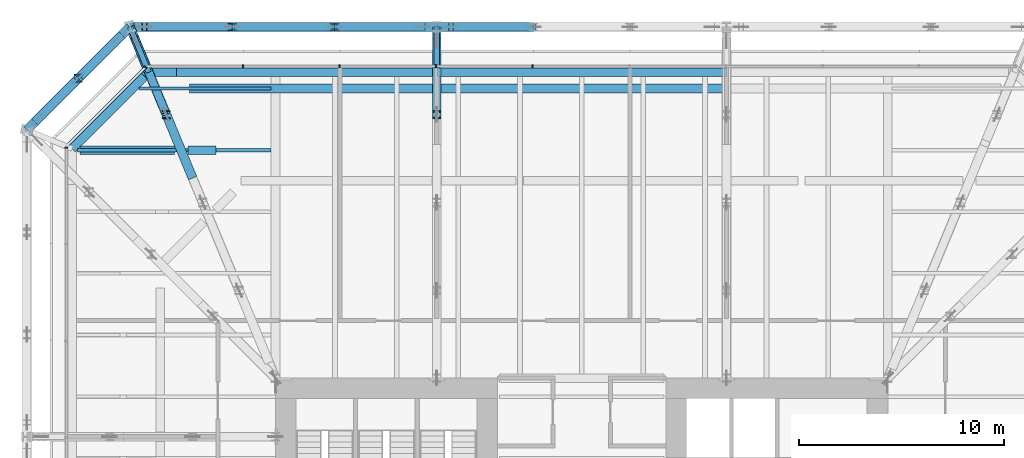
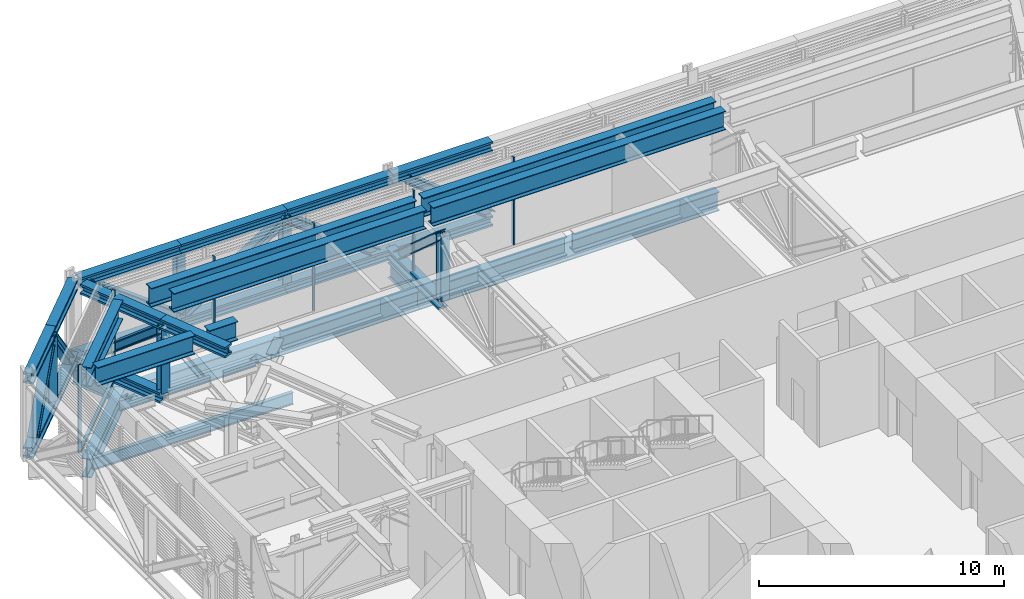
# One storey, part 16 of 33: 30 beams, 20 members, 3 elements without a shape of their own.
"""IFC4 building model written with IfcOpenShell, lengths in metres."""

from ifc_helpers import new_model, si_unit, direction, frame, origin, origin_2d, place, context, subcontext, project, spatial, rectangle, i_section, extrude, material, layer, layer_set, material_profile, profile_set, type_object, element, aggregate, save


model = new_model("IFC4")

# Units and contexts
model_context = context("Model", 3, precision=1e-05, world=origin(), true_north=direction((0.0, 1.0)))
body_context = subcontext(model_context, "Body", "Model", "MODEL_VIEW")
ifc_project = project(units=[si_unit("LENGTHUNIT", "METRE"), si_unit("AREAUNIT", "SQUARE_METRE"), si_unit("VOLUMEUNIT", "CUBIC_METRE"), si_unit("PLANEANGLEUNIT", "RADIAN"), si_unit("MASSUNIT", "GRAM", prefix="KILO")], contexts=[model_context])

# Site, building, storey
site_placement = place(None, origin())
site = spatial("IfcSite", under=ifc_project, at=site_placement, CompositionType="ELEMENT")
building_placement = place(site_placement, origin())
building = spatial("IfcBuilding", under=site, at=building_placement, Name="Millrace Tower", CompositionType="ELEMENT")
storey_placement = place(building_placement, frame((0.0, 0.0, 64.10009765625)))
storey = spatial("IfcBuildingStorey", under=building, at=storey_placement, Name="L14", CompositionType="ELEMENT", Elevation=64.10009765625)

# Beams
ifc_material_1 = material(Name="Steel ASTM A992 Grade 50", Category="steel")
ifc_material_profile_1 = material_profile(ifc_material_1, i_section(OverallWidth=0.436767578125, OverallDepth=0.51318359375, WebThickness=0.060546875, FlangeThickness=0.096923828125, FilletRadius=0.01513671875, at=origin_2d()))
ifc_profile_set_1 = profile_set([ifc_material_profile_1], Name="Steel ASTM A992 Grade 50")
beam_type_1 = type_object("IfcBeamType", Name="Belt truss chord W14x550", PredefinedType="BEAM", material=ifc_profile_set_1)
beam_1_placement = place(storey_placement, frame((-2.35009765625, 27.0, 0.25634765625), z_axis=(-1.0, 0.0, 0.0), x_axis=(0.0, -1.0, 0.0)))
element("IfcBeam", 1, at=beam_1_placement, inside=storey, type_object=beam_type_1, Name="BLT-L14-R11-B03", PredefinedType="BEAM", context=body_context, shape_type="SweptSolid", body=[
    extrude(i_section(OverallWidth=0.436767578125, OverallDepth=0.51318359375, WebThickness=0.060546875, FlangeThickness=0.096923828125, FilletRadius=0.01513671875, at=origin_2d()), origin(), (0.0, 0.0, 1.0), 4.699951171875),
])
for number, where, z_axis, x_axis, name in (
    (2, (-7.050048828125, 27.0, 0.25634765625), (-1.0, 0.0, 0.0), (0.0, -1.0, 0.0), "BLT-L14-R12-B01"),
    (3, (-12.026123046875, 27.0, 0.25634765625), (-1.0, 0.0, 0.0), (0.0, -1.0, 0.0), "BLT-L14-R12-B02"),
    (4, (-12.026123046875, 27.0, 3.943359375), (-1.0, 0.0, 0.0), (0.0, -1.0, 0.0), "BLT-L14-R12-T02"),
):
    element("IfcBeam", number, at=place(storey_placement, frame(where, z_axis=z_axis, x_axis=x_axis)), inside=storey, type_object=beam_type_1, Name=name, PredefinedType="BEAM", context=body_context, shape_type="SweptSolid", body=[
        extrude(i_section(OverallWidth=0.436767578125, OverallDepth=0.51318359375, WebThickness=0.060546875, FlangeThickness=0.096923828125, FilletRadius=0.01513671875, at=origin_2d()), origin(), (0.0, 0.0, 1.0), 4.97607421875),
    ])
beam_2_placement = place(storey_placement, frame((-17.002197265625, 27.0, 0.25634765625), z_axis=(-1.0, 0.0, 0.0), x_axis=(0.0, -1.0, 0.0)))
element("IfcBeam", 5, at=beam_2_placement, inside=storey, type_object=beam_type_1, Name="BLT-L14-R12-B03", PredefinedType="BEAM", context=body_context, shape_type="SweptSolid", body=[
    extrude(i_section(OverallWidth=0.436767578125, OverallDepth=0.51318359375, WebThickness=0.060546875, FlangeThickness=0.096923828125, FilletRadius=0.01513671875, at=origin_2d()), origin(), (0.0, 0.0, 1.0), 4.976318359375),
])
for number, where, z_axis, x_axis, name in (
    (6, (-21.978515625, 27.0, 0.25634765625), (-0.707106781187, -0.707106781187, 0.0), (0.707106781187, -0.707106781187, 0.0), "BLT-L14-R13-B01"),
    (7, (-24.4892578125, 24.4892578125, 0.25634765625), (-0.707106781187, -0.707106781187, 0.0), (0.707106781187, -0.707106781187, 0.0), "BLT-L14-R13-B02"),
):
    element("IfcBeam", number, at=place(storey_placement, frame(where, z_axis=z_axis, x_axis=x_axis)), inside=storey, type_object=beam_type_1, Name=name, PredefinedType="BEAM", context=body_context, shape_type="SweptSolid", body=[
        extrude(i_section(OverallWidth=0.436767578125, OverallDepth=0.51318359375, WebThickness=0.060546875, FlangeThickness=0.096923828125, FilletRadius=0.01513671875, at=origin_2d()), origin(), (0.0, 0.0, 1.0), 3.55078125),
    ])
beam_3_placement = place(storey_placement, frame((-2.35009765625, 27.0, 3.943359375), z_axis=(-1.0, 0.0, 0.0), x_axis=(0.0, -1.0, 0.0)))
element("IfcBeam", 8, at=beam_3_placement, inside=storey, type_object=beam_type_1, Name="BLT-L14-R11-T03", PredefinedType="BEAM", context=body_context, shape_type="SweptSolid", body=[
    extrude(i_section(OverallWidth=0.436767578125, OverallDepth=0.51318359375, WebThickness=0.060546875, FlangeThickness=0.096923828125, FilletRadius=0.01513671875, at=origin_2d()), origin(), (0.0, 0.0, 1.0), 4.6826171875),
])
beam_4_placement = place(storey_placement, frame((-7.0673828125, 27.0, 3.943359375), z_axis=(-1.0, 0.0, 0.0), x_axis=(0.0, -1.0, 0.0)))
element("IfcBeam", 9, at=beam_4_placement, inside=storey, type_object=beam_type_1, Name="BLT-L14-R12-T01", PredefinedType="BEAM", context=body_context, shape_type="SweptSolid", body=[
    extrude(i_section(OverallWidth=0.436767578125, OverallDepth=0.51318359375, WebThickness=0.060546875, FlangeThickness=0.096923828125, FilletRadius=0.01513671875, at=origin_2d()), origin(), (0.0, 0.0, 1.0), 4.958740234375),
])
beam_5_placement = place(storey_placement, frame((-17.002197265625, 27.0, 3.943359375), z_axis=(-1.0, 0.0, 0.0), x_axis=(0.0, -1.0, 0.0)))
element("IfcBeam", 10, at=beam_5_placement, inside=storey, type_object=beam_type_1, Name="BLT-L14-R12-T03", PredefinedType="BEAM", context=body_context, shape_type="SweptSolid", body=[
    extrude(i_section(OverallWidth=0.436767578125, OverallDepth=0.51318359375, WebThickness=0.060546875, FlangeThickness=0.096923828125, FilletRadius=0.01513671875, at=origin_2d()), origin(), (0.0, 0.0, 1.0), 4.7724609375),
])
beam_6_placement = place(storey_placement, frame((-22.00244140625, 26.97607421875, 3.943359375), z_axis=(-0.707106781187, -0.707106781187, 0.0), x_axis=(0.707106781187, -0.707106781187, 0.0)))
element("IfcBeam", 11, at=beam_6_placement, inside=storey, type_object=beam_type_1, Name="BLT-L14-R13-T01", PredefinedType="BEAM", context=body_context, shape_type="SweptSolid", body=[
    extrude(i_section(OverallWidth=0.436767578125, OverallDepth=0.51318359375, WebThickness=0.060546875, FlangeThickness=0.096923828125, FilletRadius=0.01513671875, at=origin_2d()), origin(), (0.0, 0.0, 1.0), 3.516845703125),
])
beam_7_placement = place(storey_placement, frame((-24.4892578125, 24.4892578125, 3.943359375), z_axis=(-0.707106781187, -0.707106781187, 0.0), x_axis=(0.707106781187, -0.707106781187, 0.0)))
element("IfcBeam", 12, at=beam_7_placement, inside=storey, type_object=beam_type_1, Name="BLT-L14-R13-T02", PredefinedType="BEAM", context=body_context, shape_type="SweptSolid", body=[
    extrude(i_section(OverallWidth=0.436767578125, OverallDepth=0.51318359375, WebThickness=0.060546875, FlangeThickness=0.096923828125, FilletRadius=0.01513671875, at=origin_2d()), origin(), (0.0, 0.0, 1.0), 3.533447265625),
])

# Members
ifc_material_2 = material(Name="Steel ASTM A992 Grade 50", Category="steel")
ifc_material_profile_2 = material_profile(ifc_material_2, i_section(OverallWidth=0.40380859375, OverallDepth=0.406494140625, WebThickness=0.027099609375, FlangeThickness=0.043701171875, FilletRadius=0.01513671875, at=origin_2d()))
ifc_profile_set_2 = profile_set([ifc_material_profile_2], Name="Steel ASTM A992 Grade 50")
member_type_1 = type_object("IfcMemberType", Name="Belt truss diagonal W14x233", PredefinedType="BRACE", material=ifc_profile_set_2)
member_1_placement = place(storey_placement, frame((-2.35009765625, 27.0, 0.512939453125), z_axis=(-0.783362807967, 0.0, 0.621564728001), x_axis=(0.0, -1.0, 0.0)))
element("IfcMember", 13, at=member_1_placement, inside=storey, type_object=member_type_1, Name="BLT-L14-R11-D03", PredefinedType="BRACE", context=body_context, shape_type="SweptSolid", body=[
    extrude(i_section(OverallWidth=0.40380859375, OverallDepth=0.406494140625, WebThickness=0.027099609375, FlangeThickness=0.043701171875, FilletRadius=0.01513671875, at=origin_2d()), origin(), (0.0, 0.0, 1.0), 5.106201171875),
])
member_2_placement = place(storey_placement, frame((-7.75, 27.0, 0.512939453125), z_axis=(-0.802988323282, 0.0, 0.59599475893), x_axis=(0.0, -1.0, 0.0)))
element("IfcMember", 14, at=member_2_placement, inside=storey, type_object=member_type_1, Name="BLT-L14-R12-D01", PredefinedType="BRACE", context=body_context, shape_type="SweptSolid", body=[
    extrude(i_section(OverallWidth=0.40380859375, OverallDepth=0.406494140625, WebThickness=0.027099609375, FlangeThickness=0.043701171875, FilletRadius=0.01513671875, at=origin_2d()), origin(), (0.0, 0.0, 1.0), 5.3251953125),
])
member_3_placement = place(storey_placement, frame((-17.002197265625, 27.0, 0.512939453125), z_axis=(0.843105769353, 0.0, 0.537747767716), x_axis=(0.0, 1.0, 0.0)))
element("IfcMember", 15, at=member_3_placement, inside=storey, type_object=member_type_1, Name="BLT-L14-R12-D02", PredefinedType="BRACE", context=body_context, shape_type="SweptSolid", body=[
    extrude(i_section(OverallWidth=0.40380859375, OverallDepth=0.406494140625, WebThickness=0.027099609375, FlangeThickness=0.043701171875, FilletRadius=0.01513671875, at=origin_2d()), origin(), (0.0, 0.0, 1.0), 5.902099609375),
])
member_4_placement = place(storey_placement, frame((-17.002197265625, 27.0, 0.512939453125), z_axis=(-0.802988323282, 0.0, 0.59599475893), x_axis=(0.0, -1.0, 0.0)))
element("IfcMember", 16, at=member_4_placement, inside=storey, type_object=member_type_1, Name="BLT-L14-R12-D03", PredefinedType="BRACE", context=body_context, shape_type="SweptSolid", body=[
    extrude(i_section(OverallWidth=0.40380859375, OverallDepth=0.406494140625, WebThickness=0.027099609375, FlangeThickness=0.043701171875, FilletRadius=0.01513671875, at=origin_2d()), origin(), (0.0, 0.0, 1.0), 5.3251953125),
])
for number, where, z_axis, x_axis, name in (
    (17, (-22.473388671875, 26.505126953125, 0.512939453125), (-0.472518684194, -0.472518684194, 0.743943671372), (0.707106781187, -0.707106781187, 0.0), "BLT-L14-R13-D01"),
    (18, (-26.505126953125, 22.473388671875, 0.512939453125), (0.472518684194, 0.472518684194, 0.743943671372), (-0.707106781187, 0.707106781187, 0.0), "BLT-L14-R13-D02"),
):
    element("IfcMember", number, at=place(storey_placement, frame(where, z_axis=z_axis, x_axis=x_axis)), inside=storey, type_object=member_type_1, Name=name, PredefinedType="BRACE", context=body_context, shape_type="SweptSolid", body=[
        extrude(i_section(OverallWidth=0.40380859375, OverallDepth=0.406494140625, WebThickness=0.027099609375, FlangeThickness=0.043701171875, FilletRadius=0.01513671875, at=origin_2d()), origin(), (0.0, 0.0, 1.0), 4.26611328125),
    ])
ifc_material_3 = material(Name="Steel ASTM A992 Grade 50", Category="steel")
ifc_material_profile_3 = material_profile(ifc_material_3, i_section(OverallWidth=0.398681640625, OverallDepth=0.393798828125, WebThickness=0.022705078125, FlangeThickness=0.03662109375, FilletRadius=0.01513671875, at=origin_2d()))
ifc_profile_set_3 = profile_set([ifc_material_profile_3], Name="Steel ASTM A992 Grade 50")
member_type_2 = type_object("IfcMemberType", Name="Belt truss post W14x193", PredefinedType="POST", material=ifc_profile_set_3)
for number, where, z_axis, x_axis, name in (
    (19, (-12.026123046875, 27.0, 0.512939453125), (0.0, 0.0, 1.0), (1.0, 0.0, 0.0), "BLT-L14-R12-V01"),
    (20, (-17.002197265625, 27.0, 0.512939453125), (0.0, 0.0, 1.0), (1.0, 0.0, 0.0), "BLT-L14-R12-V02"),
    (21, (-24.4892578125, 24.4892578125, 0.512939453125), (0.0, 0.0, 1.0), (1.0, 0.0, 0.0), "BLT-L14-R13-V01"),
):
    element("IfcMember", number, at=place(storey_placement, frame(where, z_axis=z_axis, x_axis=x_axis)), inside=storey, type_object=member_type_2, Name=name, PredefinedType="POST", context=body_context, shape_type="SweptSolid", body=[
        extrude(i_section(OverallWidth=0.398681640625, OverallDepth=0.393798828125, WebThickness=0.022705078125, FlangeThickness=0.03662109375, FilletRadius=0.01513671875, at=origin_2d()), origin(), (0.0, 0.0, 1.0), 3.173828125),
    ])

# Curtain wall, members
ifc_material_4 = material(Name="Aluminium and glass", Category="aluminium")
ifc_layer = layer(ifc_material_4, 0.14990234375)
ifc_layer_set = layer_set([ifc_layer], Name="Aluminium and glass")
curtain_wall_type = type_object("IfcCurtainWallType", Name="CW-5 truss and plant storey louvred infill", PredefinedType="NOTDEFINED", material=ifc_layer_set)
placement = place(storey_placement, origin())
curtain_wall_1 = element("IfcCurtainWall", 22, at=placement, inside=storey, type_object=curtain_wall_type, Name="Curtain wall A-F06 L14", PredefinedType="NOTDEFINED")
ifc_material_5 = material(Name="Aluminium", Category="aluminium")
ifc_material_profile_4 = material_profile(ifc_material_5, rectangle(XDim=0.06494140625, YDim=0.14990234375, at=origin_2d()))
ifc_profile_set_4 = profile_set([ifc_material_profile_4], Name="Aluminium")
member_type_3 = type_object("IfcMemberType", Name="CW-5 truss and plant storey louvred infill mullion", PredefinedType="MULLION", material=ifc_profile_set_4)
member_5_placement = place(storey_placement, frame((-2.382568359375, 25.074951171875, 0.139892578125), z_axis=(0.0, 0.0, 1.0), x_axis=(-1.0, 0.0, 0.0)))
member_5 = element("IfcMember", 23, at=member_5_placement, type_object=member_type_3, Name="CW5 mullion A-F06.6", PredefinedType="MULLION", context=body_context, shape_type="SweptSolid", body=[
    extrude(rectangle(XDim=0.06494140625, YDim=0.14990234375, at=origin_2d()), origin(), (0.0, 0.0, 1.0), 4.360107421875),
])
member_6_placement = place(storey_placement, frame((-7.08251953125, 25.074951171875, 0.139892578125), z_axis=(0.0, 0.0, 1.0), x_axis=(-1.0, 0.0, 0.0)))
member_6 = element("IfcMember", 24, at=member_6_placement, type_object=member_type_3, Name="CW5 mullion A-F06.7", PredefinedType="MULLION", context=body_context, shape_type="SweptSolid", body=[
    extrude(rectangle(XDim=0.06494140625, YDim=0.14990234375, at=origin_2d()), origin(), (0.0, 0.0, 1.0), 4.360107421875),
])
member_7_placement = place(storey_placement, frame((-11.782470703125, 25.074951171875, 0.139892578125), z_axis=(0.0, 0.0, 1.0), x_axis=(-1.0, 0.0, 0.0)))
member_7 = element("IfcMember", 25, at=member_7_placement, type_object=member_type_3, Name="CW5 mullion A-F06.8", PredefinedType="MULLION", context=body_context, shape_type="SweptSolid", body=[
    extrude(rectangle(XDim=0.06494140625, YDim=0.14990234375, at=origin_2d()), origin(), (0.0, 0.0, 1.0), 4.360107421875),
])
member_8_placement = place(storey_placement, frame((-16.482421875, 25.074951171875, 0.139892578125), z_axis=(0.0, 0.0, 1.0), x_axis=(-1.0, 0.0, 0.0)))
member_8 = element("IfcMember", 26, at=member_8_placement, type_object=member_type_3, Name="CW5 mullion A-F06.9", PredefinedType="MULLION", context=body_context, shape_type="SweptSolid", body=[
    extrude(rectangle(XDim=0.06494140625, YDim=0.14990234375, at=origin_2d()), origin(), (0.0, 0.0, 1.0), 4.360107421875),
])
aggregate(curtain_wall_1, [member_5, member_6, member_7, member_8])

# Curtain wall, member
curtain_wall_2 = element("IfcCurtainWall", 27, at=placement, inside=storey, type_object=curtain_wall_type, Name="Curtain wall A-F07 L14", PredefinedType="NOTDEFINED")
member_9_placement = place(storey_placement, frame((-21.22607421875, 25.030029296875, 0.139892578125), z_axis=(0.0, 0.0, 1.0), x_axis=(-0.707106781187, -0.707106781187, 0.0)))
member_9 = element("IfcMember", 28, at=member_9_placement, type_object=member_type_3, Name="CW5 mullion A-F07.1", PredefinedType="MULLION", context=body_context, shape_type="SweptSolid", body=[
    extrude(rectangle(XDim=0.06494140625, YDim=0.14990234375, at=origin_2d()), origin(), (0.0, 0.0, 1.0), 4.360107421875),
])

curtain_wall_3 = element("IfcCurtainWall", 29, at=placement, inside=storey, type_object=curtain_wall_type, Name="Curtain wall A-F08 L14", PredefinedType="NOTDEFINED")
member_10_placement = place(storey_placement, frame((-25.074951171875, 21.117431640625, 0.139892578125), z_axis=(0.0, 0.0, 1.0), x_axis=(0.0, -1.0, 0.0)))
member_10 = element("IfcMember", 30, at=member_10_placement, type_object=member_type_3, Name="CW5 mullion A-F08.1", PredefinedType="MULLION", context=body_context, shape_type="SweptSolid", body=[
    extrude(rectangle(XDim=0.06494140625, YDim=0.14990234375, at=origin_2d()), origin(), (0.0, 0.0, 1.0), 4.360107421875),
])
aggregate(curtain_wall_3, [member_10])

# Member
ifc_material_6 = material(Name="Aluminium", Category="aluminium")
ifc_material_profile_5 = material_profile(ifc_material_6, rectangle(XDim=0.14990234375, YDim=0.139892578125, at=origin_2d()))
ifc_profile_set_5 = profile_set([ifc_material_profile_5], Name="Aluminium")
member_type_4 = type_object("IfcMemberType", Name="CW-5 truss and plant storey louvred infill transom", PredefinedType="USERDEFINED", material=ifc_profile_set_5)
member_11_placement = place(storey_placement, frame((-21.273681640625, 24.982421875, 0.06982421875), z_axis=(-0.707106781187, -0.707106781187, 0.0), x_axis=(0.707106781187, -0.707106781187, 0.0)))
member_11 = element("IfcMember", 31, at=member_11_placement, type_object=member_type_4, Name="CW5 transom A-F07.1", ObjectType="TRANSOM", PredefinedType="USERDEFINED", context=body_context, shape_type="SweptSolid", body=[
    extrude(rectangle(XDim=0.14990234375, YDim=0.139892578125, at=origin_2d()), origin(), (0.0, 0.0, 1.0), 5.244873046875),
])

aggregate(curtain_wall_2, [member_9, member_11])

# Beams
ifc_material_7 = material(Name="Steel ASTM A992 Grade 50", Category="steel")
ifc_material_profile_6 = material_profile(ifc_material_7, i_section(OverallWidth=0.1650390625, OverallDepth=0.52587890625, WebThickness=0.0087890625, FlangeThickness=0.011474609375, FilletRadius=0.0126953125, at=origin_2d()))
ifc_profile_set_6 = profile_set([ifc_material_profile_6], Name="Steel ASTM A992 Grade 50")
beam_type_2 = type_object("IfcBeamType", Name="Floor beam W21x44", PredefinedType="JOIST", material=ifc_profile_set_6)
beam_8_placement = place(storey_placement, frame((-21.53369140625, 24.0, -0.512939453125), z_axis=(1.0, 0.0, 0.0), x_axis=(0.0, 1.0, 0.0)))
element("IfcBeam", 32, at=beam_8_placement, inside=storey, type_object=beam_type_2, Name="BM-A-L14-S1-S040", PredefinedType="JOIST", context=body_context, shape_type="SweptSolid", body=[
    extrude(i_section(OverallWidth=0.1650390625, OverallDepth=0.52587890625, WebThickness=0.0087890625, FlangeThickness=0.011474609375, FilletRadius=0.0126953125, at=origin_2d()), origin(), (0.0, 0.0, 1.0), 6.421630859375),
])
ifc_material_8 = material(Name="Steel ASTM A992 Grade 50", Category="steel")
ifc_material_profile_7 = material_profile(ifc_material_8, i_section(OverallWidth=0.177978515625, OverallDepth=0.599365234375, WebThickness=0.010009765625, FlangeThickness=0.012939453125, FilletRadius=0.012939453125, at=origin_2d()))
ifc_profile_set_7 = profile_set([ifc_material_profile_7], Name="Steel ASTM A992 Grade 50")
beam_type_3 = type_object("IfcBeamType", Name="Floor beam W24x55", PredefinedType="JOIST", material=ifc_profile_set_7)
beam_9_placement = place(storey_placement, frame((-24.52978515625, 21.0, -0.5498046875), z_axis=(1.0, 0.0, 0.0), x_axis=(0.0, 1.0, 0.0)))
element("IfcBeam", 33, at=beam_9_placement, inside=storey, type_object=beam_type_3, Name="BM-A-L14-S1-S038", PredefinedType="JOIST", context=body_context, shape_type="SweptSolid", body=[
    extrude(i_section(OverallWidth=0.177978515625, OverallDepth=0.599365234375, WebThickness=0.010009765625, FlangeThickness=0.012939453125, FilletRadius=0.012939453125, at=origin_2d()), origin(), (0.0, 0.0, 1.0), 9.417724609375),
])
ifc_material_9 = material(Name="Steel ASTM A992 Grade 50", Category="steel")
ifc_material_profile_8 = material_profile(ifc_material_9, i_section(OverallWidth=0.419189453125, OverallDepth=0.927001953125, WebThickness=0.019287109375, FlangeThickness=0.031982421875, FilletRadius=0.024169921875, at=origin_2d()))
ifc_profile_set_8 = profile_set([ifc_material_profile_8], Name="Steel ASTM A992 Grade 50")
beam_type_4 = type_object("IfcBeamType", Name="Floor beam W36x231", PredefinedType="JOIST", material=ifc_profile_set_8)
beam_10_placement = place(storey_placement, frame((-6.88720703125, 24.0, 3.83642578125), z_axis=(1.0, 0.0, 0.0), x_axis=(0.0, 1.0, 0.0)))
element("IfcBeam", 34, at=beam_10_placement, inside=storey, type_object=beam_type_4, Name="BM-A-L14-R1-S017-a-b", PredefinedType="JOIST", context=body_context, shape_type="SweptSolid", body=[
    extrude(i_section(OverallWidth=0.419189453125, OverallDepth=0.927001953125, WebThickness=0.019287109375, FlangeThickness=0.031982421875, FilletRadius=0.024169921875, at=origin_2d()), origin(), (0.0, 0.0, 1.0), 13.7744140625),
])
beam_11_placement = place(storey_placement, frame((-24.40966796875, 21.0, 3.83642578125), z_axis=(1.0, 0.0, 0.0), x_axis=(0.0, 1.0, 0.0)))
element("IfcBeam", 35, at=beam_11_placement, inside=storey, type_object=beam_type_4, Name="BM-A-L14-R1-S016-a-a-a-a", PredefinedType="JOIST", context=body_context, shape_type="SweptSolid", body=[
    extrude(i_section(OverallWidth=0.419189453125, OverallDepth=0.927001953125, WebThickness=0.019287109375, FlangeThickness=0.031982421875, FilletRadius=0.024169921875, at=origin_2d()), origin(), (0.0, 0.0, 1.0), 4.587646484375),
])
beam_12_placement = place(storey_placement, frame((-19.16748046875, 21.0, 3.83642578125), z_axis=(1.0, 0.0, 0.0), x_axis=(0.0, 1.0, 0.0)))
element("IfcBeam", 36, at=beam_12_placement, inside=storey, type_object=beam_type_4, Name="BM-A-L14-R1-S016-a-a-a-b-a", PredefinedType="JOIST", context=body_context, shape_type="SweptSolid", body=[
    extrude(i_section(OverallWidth=0.419189453125, OverallDepth=0.927001953125, WebThickness=0.019287109375, FlangeThickness=0.031982421875, FilletRadius=0.024169921875, at=origin_2d()), origin(), (0.0, 0.0, 1.0), 1.366943359375),
])
beam_13_placement = place(storey_placement, frame((-19.093994140625, 24.0, 3.83642578125), z_axis=(1.0, 0.0, 0.0), x_axis=(0.0, 1.0, 0.0)))
element("IfcBeam", 37, at=beam_13_placement, inside=storey, type_object=beam_type_4, Name="BM-A-L14-R1-S017-a-a", PredefinedType="JOIST", context=body_context, shape_type="SweptSolid", body=[
    extrude(i_section(OverallWidth=0.419189453125, OverallDepth=0.927001953125, WebThickness=0.019287109375, FlangeThickness=0.031982421875, FilletRadius=0.024169921875, at=origin_2d()), origin(), (0.0, 0.0, 1.0), 11.881103515625),
])
ifc_material_10 = material(Name="Steel ASTM A992 Grade 50", Category="steel")
ifc_material_profile_9 = material_profile(ifc_material_10, i_section(OverallWidth=0.2666015625, OverallDepth=0.7568359375, WebThickness=0.013916015625, FlangeThickness=0.019287109375, FilletRadius=0.0166015625, at=origin_2d()))
ifc_profile_set_9 = profile_set([ifc_material_profile_9], Name="Steel ASTM A992 Grade 50")
beam_type_5 = type_object("IfcBeamType", Name="Link beam W30x108", PredefinedType="BEAM", material=ifc_profile_set_9)
beam_14_placement = place(storey_placement, frame((-21.062744140625, 24.7890625, -0.628662109375), z_axis=(-0.382673155247, 0.923883789366, 0.0), x_axis=(-0.923883789366, -0.382673155247, 0.0)))
element("IfcBeam", 38, at=beam_14_placement, inside=storey, type_object=beam_type_5, Name="LNK-A-L14-S1-05", PredefinedType="BEAM", context=body_context, shape_type="SweptSolid", body=[
    extrude(i_section(OverallWidth=0.2666015625, OverallDepth=0.7568359375, WebThickness=0.013916015625, FlangeThickness=0.019287109375, FilletRadius=0.0166015625, at=origin_2d()), origin(), (0.0, 0.0, 1.0), 2.39306640625),
])
beam_15_placement = place(storey_placement, frame((-7.050048828125, 25.0, -0.628662109375), z_axis=(0.0, 1.0, 0.0), x_axis=(-1.0, 0.0, 0.0)))
element("IfcBeam", 39, at=beam_15_placement, inside=storey, type_object=beam_type_5, Name="LNK-A-L14-S1-06", PredefinedType="BEAM", context=body_context, shape_type="SweptSolid", body=[
    extrude(i_section(OverallWidth=0.2666015625, OverallDepth=0.7568359375, WebThickness=0.013916015625, FlangeThickness=0.019287109375, FilletRadius=0.0166015625, at=origin_2d()), origin(), (0.0, 0.0, 1.0), 2.0),
])
ifc_material_11 = material(Name="Steel ASTM A992 Grade 50", Category="steel")
ifc_material_profile_10 = material_profile(ifc_material_11, i_section(OverallWidth=0.436767578125, OverallDepth=0.51318359375, WebThickness=0.060546875, FlangeThickness=0.096923828125, FilletRadius=0.01513671875, at=origin_2d()))
ifc_profile_set_10 = profile_set([ifc_material_profile_10], Name="Steel ASTM A992 Grade 50")
beam_type_6 = type_object("IfcBeamType", Name="Outrigger truss chord W14x550", PredefinedType="BEAM", material=ifc_profile_set_10)
beam_16_placement = place(storey_placement, frame((-7.050048828125, 22.72509765625, 0.25634765625), z_axis=(0.0, 1.0, 0.0), x_axis=(-1.0, 0.0, 0.0)))
element("IfcBeam", 40, at=beam_16_placement, inside=storey, type_object=beam_type_6, Name="BLT-L14-O12-B04", PredefinedType="BEAM", context=body_context, shape_type="SweptSolid", body=[
    extrude(i_section(OverallWidth=0.436767578125, OverallDepth=0.51318359375, WebThickness=0.060546875, FlangeThickness=0.096923828125, FilletRadius=0.01513671875, at=origin_2d()), origin(), (0.0, 0.0, 1.0), 4.27490234375),
])
beam_17_placement = place(storey_placement, frame((-20.208740234375, 22.72509765625, 0.25634765625), z_axis=(-0.382508695671, 0.923951891462, 0.0), x_axis=(-0.923951891462, -0.382508695671, 0.0)))
element("IfcBeam", 41, at=beam_17_placement, inside=storey, type_object=beam_type_6, Name="BLT-L14-O13-B04", PredefinedType="BEAM", context=body_context, shape_type="SweptSolid", body=[
    extrude(i_section(OverallWidth=0.436767578125, OverallDepth=0.51318359375, WebThickness=0.060546875, FlangeThickness=0.096923828125, FilletRadius=0.01513671875, at=origin_2d()), origin(), (0.0, 0.0, 1.0), 4.626708984375),
])
beam_18_placement = place(storey_placement, frame((-18.9306640625, 19.637451171875, 3.943359375), z_axis=(-0.382461489108, 0.923971433189, 0.0), x_axis=(-0.923971433189, -0.382461489108, 0.0)))
element("IfcBeam", 42, at=beam_18_placement, inside=storey, type_object=beam_type_6, Name="BLT-L14-O13-T03", PredefinedType="BEAM", context=body_context, shape_type="SweptSolid", body=[
    extrude(i_section(OverallWidth=0.436767578125, OverallDepth=0.51318359375, WebThickness=0.060546875, FlangeThickness=0.096923828125, FilletRadius=0.01513671875, at=origin_2d()), origin(), (0.0, 0.0, 1.0), 3.341796875),
])
beam_19_placement = place(storey_placement, frame((-20.208740234375, 22.72509765625, 3.943359375), z_axis=(-0.382502407916, 0.923954494517, 0.0), x_axis=(-0.923954494517, -0.382502407916, 0.0)))
element("IfcBeam", 43, at=beam_19_placement, inside=storey, type_object=beam_type_6, Name="BLT-L14-O13-T04", PredefinedType="BEAM", context=body_context, shape_type="SweptSolid", body=[
    extrude(i_section(OverallWidth=0.436767578125, OverallDepth=0.51318359375, WebThickness=0.060546875, FlangeThickness=0.096923828125, FilletRadius=0.01513671875, at=origin_2d()), origin(), (0.0, 0.0, 1.0), 4.10400390625),
])

# Members
ifc_material_12 = material(Name="Steel ASTM A992 Grade 50", Category="steel")
ifc_material_profile_11 = material_profile(ifc_material_12, i_section(OverallWidth=0.40380859375, OverallDepth=0.406494140625, WebThickness=0.027099609375, FlangeThickness=0.043701171875, FilletRadius=0.01513671875, at=origin_2d()))
ifc_profile_set_11 = profile_set([ifc_material_profile_11], Name="Steel ASTM A992 Grade 50")
member_type_5 = type_object("IfcMemberType", Name="Outrigger truss diagonal W14x233", PredefinedType="BRACE", material=ifc_profile_set_11)
member_12_placement = place(storey_placement, frame((-7.050048828125, 26.300048828125, 0.512939453125), z_axis=(0.0, -0.747814919968, 0.663907256681), x_axis=(1.0, 0.0, 0.0)))
element("IfcMember", 44, at=member_12_placement, inside=storey, type_object=member_type_5, Name="BLT-L14-O12-D04", PredefinedType="BRACE", context=body_context, shape_type="SweptSolid", body=[
    extrude(i_section(OverallWidth=0.40380859375, OverallDepth=0.406494140625, WebThickness=0.027099609375, FlangeThickness=0.043701171875, FilletRadius=0.01513671875, at=origin_2d()), origin(), (0.0, 0.0, 1.0), 4.780517578125),
])
member_13_placement = place(storey_placement, frame((-21.710693359375, 26.353271484375, 0.512939453125), z_axis=(0.297473659901, -0.718588436246, 0.628601687047), x_axis=(0.923959256302, 0.382490905374, 0.0)))
element("IfcMember", 45, at=member_13_placement, inside=storey, type_object=member_type_5, Name="BLT-L14-O13-D04", PredefinedType="BRACE", context=body_context, shape_type="SweptSolid", body=[
    extrude(i_section(OverallWidth=0.40380859375, OverallDepth=0.406494140625, WebThickness=0.027099609375, FlangeThickness=0.043701171875, FilletRadius=0.01513671875, at=origin_2d()), origin(), (0.0, 0.0, 1.0), 5.049072265625),
])
ifc_material_13 = material(Name="Steel ASTM A992 Grade 50", Category="steel")
ifc_material_profile_12 = material_profile(ifc_material_13, i_section(OverallWidth=0.398681640625, OverallDepth=0.393798828125, WebThickness=0.022705078125, FlangeThickness=0.03662109375, FilletRadius=0.01513671875, at=origin_2d()))
ifc_profile_set_12 = profile_set([ifc_material_profile_12], Name="Steel ASTM A992 Grade 50")
member_type_6 = type_object("IfcMemberType", Name="Outrigger truss post W14x193", PredefinedType="POST", material=ifc_profile_set_12)
for number, where, z_axis, x_axis, name in (
    (46, (-7.050048828125, 22.72509765625, 0.512939453125), (0.0, 0.0, 1.0), (1.0, 0.0, 0.0), "BLT-L14-O12-V03"),
    (47, (-20.208740234375, 22.72509765625, 0.512939453125), (0.0, 0.0, 1.0), (1.0, 0.0, 0.0), "BLT-L14-O13-V03"),
):
    element("IfcMember", number, at=place(storey_placement, frame(where, z_axis=z_axis, x_axis=x_axis)), inside=storey, type_object=member_type_6, Name=name, PredefinedType="POST", context=body_context, shape_type="SweptSolid", body=[
        extrude(i_section(OverallWidth=0.398681640625, OverallDepth=0.393798828125, WebThickness=0.022705078125, FlangeThickness=0.03662109375, FilletRadius=0.01513671875, at=origin_2d()), origin(), (0.0, 0.0, 1.0), 3.173828125),
    ])

# Beams
ifc_material_14 = material(Name="Steel ASTM A992 Grade 50", Category="steel")
ifc_material_profile_13 = material_profile(ifc_material_14, i_section(OverallWidth=0.421630859375, OverallDepth=0.937255859375, WebThickness=0.021240234375, FlangeThickness=0.03662109375, FilletRadius=0.024169921875, at=origin_2d()))
ifc_profile_set_13 = profile_set([ifc_material_profile_13], Name="Steel ASTM A992 Grade 50")
beam_type_7 = type_object("IfcBeamType", Name="Ring beam medium span W36x262", PredefinedType="SPANDREL", material=ifc_profile_set_13)
beam_20_placement = place(storey_placement, frame((-21.062744140625, 24.7890625, -0.71875), z_axis=(1.0, 0.0, 0.0), x_axis=(0.0, 1.0, 0.0)))
element("IfcBeam", 48, at=beam_20_placement, inside=storey, type_object=beam_type_7, Name="RNG-A-L14-S1-05", PredefinedType="SPANDREL", context=body_context, shape_type="SweptSolid", body=[
    extrude(i_section(OverallWidth=0.421630859375, OverallDepth=0.937255859375, WebThickness=0.021240234375, FlangeThickness=0.03662109375, FilletRadius=0.024169921875, at=origin_2d()), origin(), (0.0, 0.0, 1.0), 14.0126953125),
])
beam_21_placement = place(storey_placement, frame((-7.050048828125, 24.7890625, -0.71875), z_axis=(1.0, 0.0, 0.0), x_axis=(0.0, 1.0, 0.0)))
element("IfcBeam", 49, at=beam_21_placement, inside=storey, type_object=beam_type_7, Name="RNG-A-L14-S1-06", PredefinedType="SPANDREL", context=body_context, shape_type="SweptSolid", body=[
    extrude(i_section(OverallWidth=0.421630859375, OverallDepth=0.937255859375, WebThickness=0.021240234375, FlangeThickness=0.03662109375, FilletRadius=0.024169921875, at=origin_2d()), origin(), (0.0, 0.0, 1.0), 14.10009765625),
])
beam_22_placement = place(storey_placement, frame((-6.888671875, 24.7890625, 3.831298828125), z_axis=(1.0, 0.0, 0.0), x_axis=(0.0, 1.0, 0.0)))
element("IfcBeam", 50, at=beam_22_placement, inside=storey, type_object=beam_type_7, Name="RNG-A-L14-R1-07", PredefinedType="SPANDREL", context=body_context, shape_type="SweptSolid", body=[
    extrude(i_section(OverallWidth=0.421630859375, OverallDepth=0.937255859375, WebThickness=0.021240234375, FlangeThickness=0.03662109375, FilletRadius=0.024169921875, at=origin_2d()), origin(), (0.0, 0.0, 1.0), 13.776123046875),
])
beam_23_placement = place(storey_placement, frame((-19.70458984375, 24.7890625, 3.831298828125), z_axis=(1.0, 0.0, 0.0), x_axis=(0.0, 1.0, 0.0)))
element("IfcBeam", 51, at=beam_23_placement, inside=storey, type_object=beam_type_7, Name="RNG-A-L14-R1-06", PredefinedType="SPANDREL", context=body_context, shape_type="SweptSolid", body=[
    extrude(i_section(OverallWidth=0.421630859375, OverallDepth=0.937255859375, WebThickness=0.021240234375, FlangeThickness=0.03662109375, FilletRadius=0.024169921875, at=origin_2d()), origin(), (0.0, 0.0, 1.0), 12.4921875),
])
ifc_material_15 = material(Name="Steel ASTM A992 Grade 50", Category="steel")
ifc_material_profile_14 = material_profile(ifc_material_15, i_section(OverallWidth=0.421630859375, OverallDepth=0.937255859375, WebThickness=0.021240234375, FlangeThickness=0.03662109375, FilletRadius=0.024169921875, at=origin_2d()))
ifc_profile_set_14 = profile_set([ifc_material_profile_14], Name="Steel ASTM A992 Grade 50")
beam_type_8 = type_object("IfcBeamType", Name="Ring beam short span W36x262", PredefinedType="SPANDREL", material=ifc_profile_set_14)
beam_24_placement = place(storey_placement, frame((-24.7890625, 21.062744140625, -0.71875), z_axis=(0.707106781187, 0.707106781187, 0.0), x_axis=(-0.707106781187, 0.707106781187, 0.0)))
element("IfcBeam", 52, at=beam_24_placement, inside=storey, type_object=beam_type_8, Name="RNG-A-L14-S1-04", PredefinedType="SPANDREL", context=body_context, shape_type="SweptSolid", body=[
    extrude(i_section(OverallWidth=0.421630859375, OverallDepth=0.937255859375, WebThickness=0.021240234375, FlangeThickness=0.03662109375, FilletRadius=0.024169921875, at=origin_2d()), origin(), (0.0, 0.0, 1.0), 5.269775390625),
])
beam_25_placement = place(storey_placement, frame((-24.7890625, 21.062744140625, 3.831298828125), z_axis=(0.707106781187, 0.707106781187, 0.0), x_axis=(-0.707106781187, 0.707106781187, 0.0)))
element("IfcBeam", 53, at=beam_25_placement, inside=storey, type_object=beam_type_8, Name="RNG-A-L14-R1-05", PredefinedType="SPANDREL", context=body_context, shape_type="SweptSolid", body=[
    extrude(i_section(OverallWidth=0.421630859375, OverallDepth=0.937255859375, WebThickness=0.021240234375, FlangeThickness=0.03662109375, FilletRadius=0.024169921875, at=origin_2d()), origin(), (0.0, 0.0, 1.0), 4.98486328125),
])

save(model, "model.ifc")
